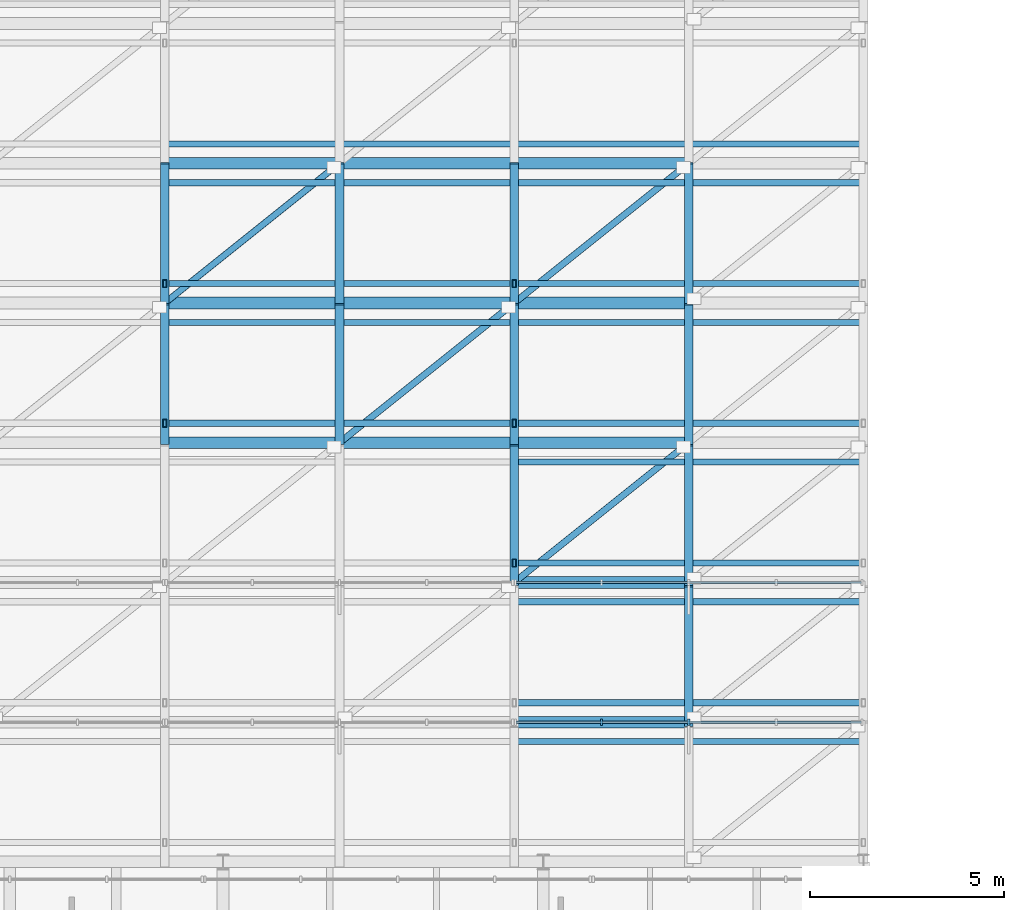
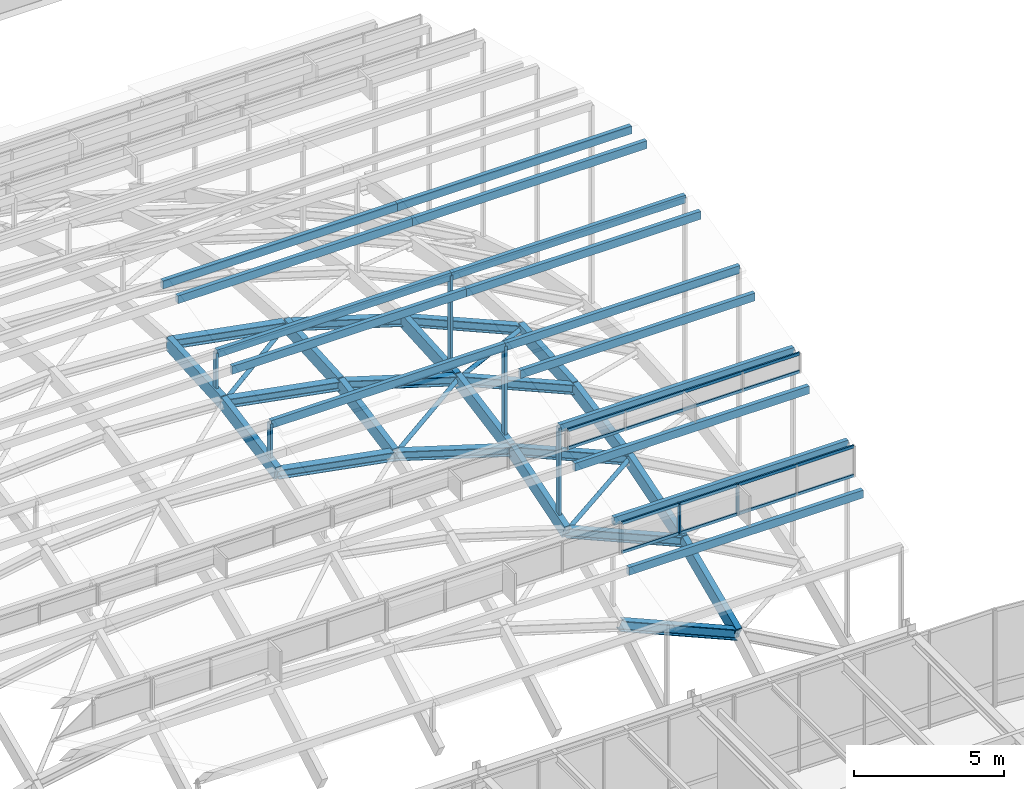
# One storey, part 22 of 69: 30 members, 22 beams, 2 elements without a shape of their own.
"""IFC4 building model written with IfcOpenShell, lengths in metres."""

from ifc_helpers import new_model, si_unit, direction, frame, origin, origin_2d, place, context, subcontext, project, spatial, rectangle, hollow_rectangle, hollow_circle, i_section, extrude, material, layer, layer_set, material_profile, profile_set, type_object, element, aggregate, save


model = new_model("IFC4")

# Units and contexts
model_context = context("Model", 3, precision=1e-05, world=origin(), true_north=direction((0.0, 1.0)))
body_context = subcontext(model_context, "Body", "Model", "MODEL_VIEW")
ifc_project = project(units=[si_unit("LENGTHUNIT", "METRE"), si_unit("AREAUNIT", "SQUARE_METRE"), si_unit("VOLUMEUNIT", "CUBIC_METRE"), si_unit("PLANEANGLEUNIT", "RADIAN"), si_unit("MASSUNIT", "GRAM", prefix="KILO")], contexts=[model_context])

# Site, building, storey
site_placement = place(None, origin())
site = spatial("IfcSite", under=ifc_project, at=site_placement, CompositionType="ELEMENT")
building_placement = place(site_placement, origin())
building = spatial("IfcBuilding", under=site, at=building_placement, Name="Montealbar Specialist Clinic", CompositionType="ELEMENT")
storey_placement = place(building_placement, frame((0.0, 0.0, 9.60009765625)))
storey = spatial("IfcBuildingStorey", under=building, at=storey_placement, Name="L02", CompositionType="ELEMENT", Elevation=9.60009765625)

# Beams
ifc_material_1 = material(Name="Steel S355", Category="steel")
ifc_material_profile_1 = material_profile(ifc_material_1, i_section(OverallWidth=0.300048828125, OverallDepth=0.360107421875, WebThickness=0.012451171875, FlangeThickness=0.0224609375, FilletRadius=0.027099609375, at=origin_2d()), Name="HEB 360", Category="steel")
ifc_profile_set_1 = profile_set([ifc_material_profile_1], Name="Steel S355")
beam_type_1 = type_object("IfcBeamType", Name="BM-GIRD-HEB360-EXT", PredefinedType="BEAM", material=ifc_profile_set_1)
beam_1_placement = place(storey_placement, frame((90.0, 52.199951171875, 6.643798828125), z_axis=(0.918302852681, 0.0, -0.395878606087), x_axis=(0.0, 1.0, 0.0)))
element("IfcBeam", 1, at=beam_1_placement, inside=storey, type_object=beam_type_1, Name="Gridshell Roof Truss Arch Rib X 2-8", PredefinedType="BEAM", context=body_context, shape_type="SweptSolid", body=[
    extrude(i_section(OverallWidth=0.300048828125, OverallDepth=0.360107421875, WebThickness=0.012451171875, FlangeThickness=0.0224609375, FilletRadius=0.027099609375, at=origin_2d()), origin(), (0.0, 0.0, 1.0), 4.900390625),
])
beam_2_placement = place(storey_placement, frame((81.0, 55.800048828125, 9.995849609375), z_axis=(0.983332910059, 0.0, -0.181814157849), x_axis=(0.0, 1.0, 0.0)))
element("IfcBeam", 2, at=beam_2_placement, inside=storey, type_object=beam_type_1, Name="Gridshell Roof Truss Arch Rib X 3-6", PredefinedType="BEAM", context=body_context, shape_type="SweptSolid", body=[
    extrude(i_section(OverallWidth=0.300048828125, OverallDepth=0.360107421875, WebThickness=0.012451171875, FlangeThickness=0.0224609375, FilletRadius=0.027099609375, at=origin_2d()), origin(), (0.0, 0.0, 1.0), 4.576171875),
])
beam_3_placement = place(storey_placement, frame((85.5, 55.800048828125, 9.163818359375), z_axis=(0.955697132972, 0.0, -0.294351813362), x_axis=(0.0, 1.0, 0.0)))
element("IfcBeam", 3, at=beam_3_placement, inside=storey, type_object=beam_type_1, Name="Gridshell Roof Truss Arch Rib X 3-7", PredefinedType="BEAM", context=body_context, shape_type="SweptSolid", body=[
    extrude(i_section(OverallWidth=0.300048828125, OverallDepth=0.360107421875, WebThickness=0.012451171875, FlangeThickness=0.0224609375, FilletRadius=0.027099609375, at=origin_2d()), origin(), (0.0, 0.0, 1.0), 4.70849609375),
])
beam_4_placement = place(storey_placement, frame((90.0, 55.800048828125, 7.77783203125), z_axis=(0.918302852681, 0.0, -0.395878606087), x_axis=(0.0, 1.0, 0.0)))
element("IfcBeam", 4, at=beam_4_placement, inside=storey, type_object=beam_type_1, Name="Gridshell Roof Truss Arch Rib X 3-8", PredefinedType="BEAM", context=body_context, shape_type="SweptSolid", body=[
    extrude(i_section(OverallWidth=0.300048828125, OverallDepth=0.360107421875, WebThickness=0.012451171875, FlangeThickness=0.0224609375, FilletRadius=0.027099609375, at=origin_2d()), origin(), (0.0, 0.0, 1.0), 4.900390625),
])
beam_5_placement = place(storey_placement, frame((81.0, 59.39990234375, 10.67578125), z_axis=(0.983342446778, 0.0, -0.181762571407), x_axis=(0.0, 1.0, 0.0)))
element("IfcBeam", 5, at=beam_5_placement, inside=storey, type_object=beam_type_1, Name="Gridshell Roof Truss Arch Rib X 4-6", PredefinedType="BEAM", context=body_context, shape_type="SweptSolid", body=[
    extrude(i_section(OverallWidth=0.300048828125, OverallDepth=0.360107421875, WebThickness=0.012451171875, FlangeThickness=0.0224609375, FilletRadius=0.027099609375, at=origin_2d()), origin(), (0.0, 0.0, 1.0), 4.576171875),
])
beam_6_placement = place(storey_placement, frame((85.5, 59.39990234375, 9.843994140625), z_axis=(0.955697132972, 0.0, -0.294351813362), x_axis=(0.0, 1.0, 0.0)))
element("IfcBeam", 6, at=beam_6_placement, inside=storey, type_object=beam_type_1, Name="Gridshell Roof Truss Arch Rib X 4-7", PredefinedType="BEAM", context=body_context, shape_type="SweptSolid", body=[
    extrude(i_section(OverallWidth=0.300048828125, OverallDepth=0.360107421875, WebThickness=0.012451171875, FlangeThickness=0.0224609375, FilletRadius=0.027099609375, at=origin_2d()), origin(), (0.0, 0.0, 1.0), 4.70849609375),
])
beam_7_placement = place(storey_placement, frame((90.0, 59.39990234375, 8.4580078125), z_axis=(0.918284740285, 0.0, -0.395920618004), x_axis=(0.0, 1.0, 0.0)))
element("IfcBeam", 7, at=beam_7_placement, inside=storey, type_object=beam_type_1, Name="Gridshell Roof Truss Arch Rib X 4-8", PredefinedType="BEAM", context=body_context, shape_type="SweptSolid", body=[
    extrude(i_section(OverallWidth=0.300048828125, OverallDepth=0.360107421875, WebThickness=0.012451171875, FlangeThickness=0.0224609375, FilletRadius=0.027099609375, at=origin_2d()), origin(), (0.0, 0.0, 1.0), 4.900390625),
])
beam_8_placement = place(storey_placement, frame((81.0, 63.0, 10.90283203125), z_axis=(0.983332910059, 0.0, -0.181814157849), x_axis=(0.0, 1.0, 0.0)))
element("IfcBeam", 8, at=beam_8_placement, inside=storey, type_object=beam_type_1, Name="Gridshell Roof Truss Arch Rib X 5-6", PredefinedType="BEAM", context=body_context, shape_type="SweptSolid", body=[
    extrude(i_section(OverallWidth=0.300048828125, OverallDepth=0.360107421875, WebThickness=0.012451171875, FlangeThickness=0.0224609375, FilletRadius=0.027099609375, at=origin_2d()), origin(), (0.0, 0.0, 1.0), 4.576171875),
])
beam_9_placement = place(storey_placement, frame((85.5, 63.0, 10.07080078125), z_axis=(0.955697132972, 0.0, -0.294351813362), x_axis=(0.0, 1.0, 0.0)))
element("IfcBeam", 9, at=beam_9_placement, inside=storey, type_object=beam_type_1, Name="Gridshell Roof Truss Arch Rib X 5-7", PredefinedType="BEAM", context=body_context, shape_type="SweptSolid", body=[
    extrude(i_section(OverallWidth=0.300048828125, OverallDepth=0.360107421875, WebThickness=0.012451171875, FlangeThickness=0.0224609375, FilletRadius=0.027099609375, at=origin_2d()), origin(), (0.0, 0.0, 1.0), 4.70849609375),
])
beam_10_placement = place(storey_placement, frame((90.0, 63.0, 8.684814453125), z_axis=(0.918302852681, 0.0, -0.395878606087), x_axis=(0.0, 1.0, 0.0)))
element("IfcBeam", 10, at=beam_10_placement, inside=storey, type_object=beam_type_1, Name="Gridshell Roof Truss Arch Rib X 5-8", PredefinedType="BEAM", context=body_context, shape_type="SweptSolid", body=[
    extrude(i_section(OverallWidth=0.300048828125, OverallDepth=0.360107421875, WebThickness=0.012451171875, FlangeThickness=0.0224609375, FilletRadius=0.027099609375, at=origin_2d()), origin(), (0.0, 0.0, 1.0), 4.900390625),
])
ifc_material_profile_2 = material_profile(ifc_material_1, i_section(OverallWidth=0.300048828125, OverallDepth=0.39990234375, WebThickness=0.013427734375, FlangeThickness=0.02392578125, FilletRadius=0.027099609375, at=origin_2d()), Name="HEB 400", Category="steel")
ifc_profile_set_2 = profile_set([ifc_material_profile_2], Name="Steel S355")
beam_type_2 = type_object("IfcBeamType", Name="BM-GIRD-HEB400-EXT", PredefinedType="BEAM", material=ifc_profile_set_2)
beam_11_placement = place(storey_placement, frame((90.0, 48.60009765625, 5.055908203125), z_axis=(0.918302852681, 0.0, -0.395878606087), x_axis=(0.0, 1.0, 0.0)))
element("IfcBeam", 11, at=beam_11_placement, inside=storey, type_object=beam_type_2, Name="Gridshell Roof Truss Arch Rib X 1-8", PredefinedType="BEAM", context=body_context, shape_type="SweptSolid", body=[
    extrude(i_section(OverallWidth=0.300048828125, OverallDepth=0.39990234375, WebThickness=0.013427734375, FlangeThickness=0.02392578125, FilletRadius=0.027099609375, at=origin_2d()), origin(), (0.0, 0.0, 1.0), 4.900390625),
])
ifc_material_2 = material(Name="Glulam GL28h", Category="wood")
ifc_material_profile_3 = material_profile(ifc_material_2, rectangle(XDim=0.219970703125, YDim=0.56005859375, at=origin_2d()), Name="GL28h 220x560", Category="wood")
ifc_profile_set_3 = profile_set([ifc_material_profile_3], Name="Glulam GL28h")
beam_type_3 = type_object("IfcBeamType", Name="BM-GL-220x560-EXT", PredefinedType="BEAM", material=ifc_profile_set_3)
beam_12_placement = place(storey_placement, frame((81.0, 55.800048828125, 9.995849609375), z_axis=(0.0, 0.982626127294, 0.185596050493), x_axis=(-1.0, 0.0, 0.0)))
element("IfcBeam", 12, at=beam_12_placement, inside=storey, type_object=beam_type_3, Name="Gridshell Glulam Roof Truss Rib Y 6-3", PredefinedType="BEAM", context=body_context, shape_type="SweptSolid", body=[
    extrude(rectangle(XDim=0.219970703125, YDim=0.56005859375, at=origin_2d()), origin(), (0.0, 0.0, 1.0), 3.66357421875),
])
beam_13_placement = place(storey_placement, frame((81.0, 59.39990234375, 10.67578125), z_axis=(0.0, 0.998017130092, 0.062942895089), x_axis=(-1.0, 0.0, 0.0)))
element("IfcBeam", 13, at=beam_13_placement, inside=storey, type_object=beam_type_3, Name="Gridshell Glulam Roof Truss Rib Y 6-4", PredefinedType="BEAM", context=body_context, shape_type="SweptSolid", body=[
    extrude(rectangle(XDim=0.219970703125, YDim=0.56005859375, at=origin_2d()), origin(), (0.0, 0.0, 1.0), 3.607177734375),
])
beam_14_placement = place(storey_placement, frame((85.5, 55.800048828125, 9.163818359375), z_axis=(0.0, 0.98261397186, 0.18566039509), x_axis=(-1.0, 0.0, 0.0)))
element("IfcBeam", 14, at=beam_14_placement, inside=storey, type_object=beam_type_3, Name="Gridshell Glulam Roof Truss Rib Y 7-3", PredefinedType="BEAM", context=body_context, shape_type="SweptSolid", body=[
    extrude(rectangle(XDim=0.219970703125, YDim=0.56005859375, at=origin_2d()), origin(), (0.0, 0.0, 1.0), 3.66357421875),
])
beam_15_placement = place(storey_placement, frame((85.5, 59.39990234375, 9.843994140625), z_axis=(0.0, 0.998021379395, 0.062875482264), x_axis=(-1.0, 0.0, 0.0)))
element("IfcBeam", 15, at=beam_15_placement, inside=storey, type_object=beam_type_3, Name="Gridshell Glulam Roof Truss Rib Y 7-4", PredefinedType="BEAM", context=body_context, shape_type="SweptSolid", body=[
    extrude(rectangle(XDim=0.219970703125, YDim=0.56005859375, at=origin_2d()), origin(), (0.0, 0.0, 1.0), 3.607177734375),
])
beam_16_placement = place(storey_placement, frame((90.0, 52.199951171875, 6.643798828125), z_axis=(0.0, 0.953798460342, 0.300447161826), x_axis=(-1.0, 0.0, 0.0)))
element("IfcBeam", 16, at=beam_16_placement, inside=storey, type_object=beam_type_3, Name="Gridshell Glulam Roof Truss Rib Y 8-2", PredefinedType="BEAM", context=body_context, shape_type="SweptSolid", body=[
    extrude(rectangle(XDim=0.219970703125, YDim=0.56005859375, at=origin_2d()), origin(), (0.0, 0.0, 1.0), 3.7744140625),
])
beam_17_placement = place(storey_placement, frame((90.0, 55.800048828125, 7.77783203125), z_axis=(0.0, 0.98261397186, 0.18566039509), x_axis=(-1.0, 0.0, 0.0)))
element("IfcBeam", 17, at=beam_17_placement, inside=storey, type_object=beam_type_3, Name="Gridshell Glulam Roof Truss Rib Y 8-3", PredefinedType="BEAM", context=body_context, shape_type="SweptSolid", body=[
    extrude(rectangle(XDim=0.219970703125, YDim=0.56005859375, at=origin_2d()), origin(), (0.0, 0.0, 1.0), 3.66357421875),
])
beam_18_placement = place(storey_placement, frame((90.0, 59.39990234375, 8.4580078125), z_axis=(0.0, 0.998021379395, 0.062875482264), x_axis=(-1.0, 0.0, 0.0)))
element("IfcBeam", 18, at=beam_18_placement, inside=storey, type_object=beam_type_3, Name="Gridshell Glulam Roof Truss Rib Y 8-4", PredefinedType="BEAM", context=body_context, shape_type="SweptSolid", body=[
    extrude(rectangle(XDim=0.219970703125, YDim=0.56005859375, at=origin_2d()), origin(), (0.0, 0.0, 1.0), 3.607177734375),
])
beam_19_placement = place(storey_placement, frame((94.5, 48.60009765625, 3.115966796875), z_axis=(0.0, 0.914944084874, 0.403580625841), x_axis=(-1.0, 0.0, 0.0)))
element("IfcBeam", 19, at=beam_19_placement, inside=storey, type_object=beam_type_3, Name="Gridshell Glulam Roof Truss Rib Y 9-1", PredefinedType="BEAM", context=body_context, shape_type="SweptSolid", body=[
    extrude(rectangle(XDim=0.219970703125, YDim=0.56005859375, at=origin_2d()), origin(), (0.0, 0.0, 1.0), 3.9345703125),
])
beam_20_placement = place(storey_placement, frame((94.5, 52.199951171875, 4.703857421875), z_axis=(0.0, 0.953798460342, 0.300447161826), x_axis=(-1.0, 0.0, 0.0)))
element("IfcBeam", 20, at=beam_20_placement, inside=storey, type_object=beam_type_3, Name="Gridshell Glulam Roof Truss Rib Y 9-2", PredefinedType="BEAM", context=body_context, shape_type="SweptSolid", body=[
    extrude(rectangle(XDim=0.219970703125, YDim=0.56005859375, at=origin_2d()), origin(), (0.0, 0.0, 1.0), 3.7744140625),
])
beam_21_placement = place(storey_placement, frame((94.5, 55.800048828125, 5.837890625), z_axis=(0.0, 0.982626127294, 0.185596050493), x_axis=(-1.0, 0.0, 0.0)))
element("IfcBeam", 21, at=beam_21_placement, inside=storey, type_object=beam_type_3, Name="Gridshell Glulam Roof Truss Rib Y 9-3", PredefinedType="BEAM", context=body_context, shape_type="SweptSolid", body=[
    extrude(rectangle(XDim=0.219970703125, YDim=0.56005859375, at=origin_2d()), origin(), (0.0, 0.0, 1.0), 3.66357421875),
])
beam_22_placement = place(storey_placement, frame((94.5, 59.39990234375, 6.517822265625), z_axis=(0.0, 0.998017130092, 0.062942895089), x_axis=(-1.0, 0.0, 0.0)))
element("IfcBeam", 22, at=beam_22_placement, inside=storey, type_object=beam_type_3, Name="Gridshell Glulam Roof Truss Rib Y 9-4", PredefinedType="BEAM", context=body_context, shape_type="SweptSolid", body=[
    extrude(rectangle(XDim=0.219970703125, YDim=0.56005859375, at=origin_2d()), origin(), (0.0, 0.0, 1.0), 3.607177734375),
])

# Curtain wall, members
ifc_material_3 = material(Name="Low-E double glazing", Category="glass")
ifc_layer_1 = layer(ifc_material_3, 0.199951171875, Name="Low-E double glazing", Category="glass")
ifc_layer_set_1 = layer_set([ifc_layer_1], Name="Low-E double glazing")
curtain_wall_type_1 = type_object("IfcCurtainWallType", Name="CW-TYPE-47", PredefinedType="NOTDEFINED", material=ifc_layer_set_1)
curtain_wall_1_placement = place(storey_placement, origin())
curtain_wall_1 = element("IfcCurtainWall", 23, at=curtain_wall_1_placement, inside=storey, type_object=curtain_wall_type_1, Name="Unitised Curtain Wall CW-L02-900-486-990-486-175", PredefinedType="NOTDEFINED")
ifc_material_4 = material(Name="Anodised aluminium EN AW-6063", Category="aluminium")
ifc_material_profile_4 = material_profile(ifc_material_4, rectangle(XDim=0.06005859375, YDim=0.159912109375, at=origin_2d()), Name="ALU 60x160", Category="aluminium")
ifc_profile_set_4 = profile_set([ifc_material_profile_4], Name="Anodised aluminium EN AW-6063")
member_type_1 = type_object("IfcMemberType", Name="CW-MUL-160", PredefinedType="MULLION", material=ifc_profile_set_4)
member_1_placement = place(storey_placement, frame((92.25, 48.60009765625, 7.933837890625), z_axis=(0.0, 0.0, 1.0), x_axis=(1.0, 0.0, 0.0)))
member_1 = element("IfcMember", 24, at=member_1_placement, type_object=member_type_1, Name="Curtain Wall Mullion CW-L02-900-486-990-486-175-01", PredefinedType="MULLION", context=body_context, shape_type="SweptSolid", body=[
    extrude(rectangle(XDim=0.06005859375, YDim=0.159912109375, at=origin_2d()), origin(), (0.0, 0.0, 1.0), 1.257080078125),
])
member_2_placement = place(storey_placement, frame((94.5, 48.60009765625, 7.933837890625), z_axis=(0.0, 0.0, 1.0), x_axis=(1.0, 0.0, 0.0)))
member_2 = element("IfcMember", 25, at=member_2_placement, type_object=member_type_1, Name="Curtain Wall Mullion CW-L02-900-486-990-486-175-02", PredefinedType="MULLION", context=body_context, shape_type="SweptSolid", body=[
    extrude(rectangle(XDim=0.06005859375, YDim=0.159912109375, at=origin_2d()), origin(), (0.0, 0.0, 1.0), 1.257080078125),
])
ifc_material_5 = material(Name="Powder-coated aluminium", Category="aluminium")
ifc_material_profile_5 = material_profile(ifc_material_5, rectangle(XDim=0.06005859375, YDim=0.1201171875, at=origin_2d()), Name="ALU 60x120", Category="aluminium")
ifc_profile_set_5 = profile_set([ifc_material_profile_5], Name="Powder-coated aluminium")
member_type_2 = type_object("IfcMemberType", Name="CW-TRN-120", PredefinedType="USERDEFINED", material=ifc_profile_set_5)
member_3_placement = place(storey_placement, frame((90.050048828125, 48.60009765625, 7.973876953125), z_axis=(1.0, 0.0, 0.0), x_axis=(0.0, 1.0, 0.0)))
member_3 = element("IfcMember", 26, at=member_3_placement, type_object=member_type_2, Name="Curtain Wall Transom CW-L02-900-486-990-486-175-00", ObjectType="TRANSOM", PredefinedType="USERDEFINED", context=body_context, shape_type="SweptSolid", body=[
    extrude(rectangle(XDim=0.06005859375, YDim=0.1201171875, at=origin_2d()), origin(), (0.0, 0.0, 1.0), 8.89990234375),
])
member_4_placement = place(storey_placement, frame((90.050048828125, 48.60009765625, 9.15087890625), z_axis=(1.0, 0.0, 0.0), x_axis=(0.0, 1.0, 0.0)))
member_4 = element("IfcMember", 27, at=member_4_placement, type_object=member_type_2, Name="Curtain Wall Transom CW-L02-900-486-990-486-175-01", ObjectType="TRANSOM", PredefinedType="USERDEFINED", context=body_context, shape_type="SweptSolid", body=[
    extrude(rectangle(XDim=0.06005859375, YDim=0.1201171875, at=origin_2d()), origin(), (0.0, 0.0, 1.0), 8.89990234375),
])
aggregate(curtain_wall_1, [member_1, member_2, member_3, member_4])

ifc_layer_2 = layer(ifc_material_3, 0.199951171875, Name="Low-E double glazing", Category="glass")
ifc_layer_set_2 = layer_set([ifc_layer_2], Name="Low-E double glazing")
curtain_wall_type_2 = type_object("IfcCurtainWallType", Name="CW-TYPE-48", PredefinedType="NOTDEFINED", material=ifc_layer_set_2)
curtain_wall_2_placement = place(storey_placement, origin())
curtain_wall_2 = element("IfcCurtainWall", 28, at=curtain_wall_2_placement, inside=storey, type_object=curtain_wall_type_2, Name="Unitised Curtain Wall CW-L02-900-522-990-522-196", PredefinedType="NOTDEFINED")
member_5_placement = place(storey_placement, frame((90.050048828125, 52.199951171875, 10.014892578125), z_axis=(1.0, 0.0, 0.0), x_axis=(0.0, 1.0, 0.0)))
member_5 = element("IfcMember", 29, at=member_5_placement, type_object=member_type_2, Name="Curtain Wall Transom CW-L02-900-522-990-522-196-00", ObjectType="TRANSOM", PredefinedType="USERDEFINED", context=body_context, shape_type="SweptSolid", body=[
    extrude(rectangle(XDim=0.06005859375, YDim=0.1201171875, at=origin_2d()), origin(), (0.0, 0.0, 1.0), 8.89990234375),
])
member_6_placement = place(storey_placement, frame((90.050048828125, 52.199951171875, 10.739013671875), z_axis=(1.0, 0.0, 0.0), x_axis=(0.0, 1.0, 0.0)))
member_6 = element("IfcMember", 30, at=member_6_placement, type_object=member_type_2, Name="Curtain Wall Transom CW-L02-900-522-990-522-196-01", ObjectType="TRANSOM", PredefinedType="USERDEFINED", context=body_context, shape_type="SweptSolid", body=[
    extrude(rectangle(XDim=0.06005859375, YDim=0.1201171875, at=origin_2d()), origin(), (0.0, 0.0, 1.0), 8.89990234375),
])
aggregate(curtain_wall_2, [member_5, member_6])

# Members
ifc_material_profile_6 = material_profile(ifc_material_1, hollow_circle(Radius=0.084228515625, WallThickness=0.008056640625, at=origin_2d()), Name="CHS 168.3x8.0", Category="steel")
ifc_profile_set_6 = profile_set([ifc_material_profile_6], Name="Steel S355")
member_type_3 = type_object("IfcMemberType", Name="MB-GS-DIAG-EXT", PredefinedType="BRACE", material=ifc_profile_set_6)
member_7_placement = place(storey_placement, frame((81.0, 59.39990234375, 10.67578125), z_axis=(0.776593014048, 0.621291264385, -0.104405245704), x_axis=(-0.624705380279, 0.780860543151, 0.0)))
element("IfcMember", 31, at=member_7_placement, inside=storey, type_object=member_type_3, Name="Gridshell Roof Brace 6-4", PredefinedType="BRACE", context=body_context, shape_type="SweptSolid", body=[
    extrude(hollow_circle(Radius=0.084228515625, WallThickness=0.008056640625, at=origin_2d()), origin(), (0.0, 0.0, 1.0), 5.79443359375),
])
member_8_placement = place(storey_placement, frame((85.5, 55.800048828125, 9.163818359375), z_axis=(0.775089278903, 0.620046192352, -0.12157026396), x_axis=(-0.624679547852, 0.780881208953, 0.0)))
element("IfcMember", 32, at=member_8_placement, inside=storey, type_object=member_type_3, Name="Gridshell Roof Brace 7-3", PredefinedType="BRACE", context=body_context, shape_type="SweptSolid", body=[
    extrude(hollow_circle(Radius=0.084228515625, WallThickness=0.008056640625, at=origin_2d()), origin(), (0.0, 0.0, 1.0), 5.8056640625),
])
member_9_placement = place(storey_placement, frame((90.0, 52.199951171875, 6.643798828125), z_axis=(0.773335257797, 0.618684988687, -0.138497161783), x_axis=(-0.624705380279, 0.780860543151, 0.0)))
element("IfcMember", 33, at=member_9_placement, inside=storey, type_object=member_type_3, Name="Gridshell Roof Brace 8-2", PredefinedType="BRACE", context=body_context, shape_type="SweptSolid", body=[
    extrude(hollow_circle(Radius=0.084228515625, WallThickness=0.008056640625, at=origin_2d()), origin(), (0.0, 0.0, 1.0), 5.81884765625),
])
member_10_placement = place(storey_placement, frame((90.0, 59.39990234375, 8.4580078125), z_axis=(0.748488603241, 0.598807125835, -0.284947077308), x_axis=(-0.624705380279, 0.780860543151, 0.0)))
element("IfcMember", 34, at=member_10_placement, inside=storey, type_object=member_type_3, Name="Gridshell Roof Brace 8-4", PredefinedType="BRACE", context=body_context, shape_type="SweptSolid", body=[
    extrude(hollow_circle(Radius=0.084228515625, WallThickness=0.008056640625, at=origin_2d()), origin(), (0.0, 0.0, 1.0), 6.01220703125),
])
ifc_material_profile_7 = material_profile(ifc_material_2, rectangle(XDim=0.159912109375, YDim=0.320068359375, at=origin_2d()), Name="GL28h 160x320", Category="wood")
ifc_profile_set_7 = profile_set([ifc_material_profile_7], Name="Glulam GL28h")
member_type_4 = type_object("IfcMemberType", Name="MB-GS-PURLIN-GL-EXT", PredefinedType="PURLIN", material=ifc_profile_set_7)
for number, where, z_axis, x_axis, name in (
    (35, (90.0, 48.10009765625, 7.548828125), (1.0, 0.0, 0.0), (0.0, 1.0, 0.0), "Gridshell Glulam Purlin 1-5-2"),
    (36, (90.0, 49.10009765625, 8.9658203125), (1.0, 0.0, 0.0), (0.0, 1.0, 0.0), "Gridshell Glulam Purlin 2-5-1"),
    (37, (90.0, 51.699951171875, 9.58984375), (1.0, 0.0, 0.0), (0.0, 1.0, 0.0), "Gridshell Glulam Purlin 2-5-2"),
    (38, (90.0, 52.699951171875, 10.553955078125), (1.0, 0.0, 0.0), (0.0, 1.0, 0.0), "Gridshell Glulam Purlin 3-5-1"),
    (39, (90.0, 55.300048828125, 11.177978515625), (1.0, 0.0, 0.0), (0.0, 1.0, 0.0), "Gridshell Glulam Purlin 3-5-2"),
    (40, (81.0, 56.300048828125, 11.68798828125), (1.0, 0.0, 0.0), (0.0, 1.0, 0.0), "Gridshell Glulam Purlin 4-4-1"),
    (41, (81.0, 58.89990234375, 12.31201171875), (1.0, 0.0, 0.0), (0.0, 1.0, 0.0), "Gridshell Glulam Purlin 4-4-2"),
    (42, (90.0, 56.300048828125, 11.68798828125), (1.0, 0.0, 0.0), (0.0, 1.0, 0.0), "Gridshell Glulam Purlin 4-5-1"),
    (43, (90.0, 58.89990234375, 12.31201171875), (1.0, 0.0, 0.0), (0.0, 1.0, 0.0), "Gridshell Glulam Purlin 4-5-2"),
    (44, (81.0, 59.89990234375, 12.367919921875), (1.0, 0.0, 0.0), (0.0, 1.0, 0.0), "Gridshell Glulam Purlin 5-4-1"),
    (45, (81.0, 62.5, 12.991943359375), (1.0, 0.0, 0.0), (0.0, 1.0, 0.0), "Gridshell Glulam Purlin 5-4-2"),
    (46, (90.0, 59.89990234375, 12.367919921875), (1.0, 0.0, 0.0), (0.0, 1.0, 0.0), "Gridshell Glulam Purlin 5-5-1"),
    (47, (90.0, 62.5, 12.991943359375), (1.0, 0.0, 0.0), (0.0, 1.0, 0.0), "Gridshell Glulam Purlin 5-5-2"),
    (48, (81.0, 63.5, 12.991943359375), (1.0, 0.0, 0.0), (0.0, 1.0, 0.0), "Gridshell Glulam Purlin 6-4-1"),
    (49, (90.0, 63.5, 12.991943359375), (1.0, 0.0, 0.0), (0.0, 1.0, 0.0), "Gridshell Glulam Purlin 6-5-1"),
):
    element("IfcMember", number, at=place(storey_placement, frame(where, z_axis=z_axis, x_axis=x_axis)), inside=storey, type_object=member_type_4, Name=name, PredefinedType="PURLIN", context=body_context, shape_type="SweptSolid", body=[
        extrude(rectangle(XDim=0.159912109375, YDim=0.320068359375, at=origin_2d()), origin(), (0.0, 0.0, 1.0), 9.0),
    ])
ifc_material_profile_8 = material_profile(ifc_material_1, hollow_rectangle(XDim=0.10009765625, YDim=0.199951171875, WallThickness=0.008056640625, at=origin_2d()), Name="RHS 200x100x8", Category="steel")
ifc_profile_set_8 = profile_set([ifc_material_profile_8], Name="Steel S355")
member_type_5 = type_object("IfcMemberType", Name="MB-GS-PURLIN-ST-EXT", PredefinedType="PURLIN", material=ifc_profile_set_8)
member_11_placement = place(storey_placement, frame((90.0, 52.699951171875, 6.643798828125), z_axis=(0.0, 0.0, 1.0), x_axis=(1.0, 0.0, 0.0)))
element("IfcMember", 50, at=member_11_placement, inside=storey, type_object=member_type_5, Name="Gridshell Monitor Post 3-8", PredefinedType="PURLIN", context=body_context, shape_type="SweptSolid", body=[
    extrude(hollow_rectangle(XDim=0.10009765625, YDim=0.199951171875, WallThickness=0.008056640625, at=origin_2d()), origin(), (0.0, 0.0, 1.0), 3.9521484375),
])
member_12_placement = place(storey_placement, frame((81.0, 56.300048828125, 9.995849609375), z_axis=(0.0, 0.0, 1.0), x_axis=(1.0, 0.0, 0.0)))
element("IfcMember", 51, at=member_12_placement, inside=storey, type_object=member_type_5, Name="Gridshell Monitor Post 4-6", PredefinedType="PURLIN", context=body_context, shape_type="SweptSolid", body=[
    extrude(hollow_rectangle(XDim=0.10009765625, YDim=0.199951171875, WallThickness=0.008056640625, at=origin_2d()), origin(), (0.0, 0.0, 1.0), 1.734130859375),
])
member_13_placement = place(storey_placement, frame((90.0, 56.300048828125, 7.77783203125), z_axis=(0.0, 0.0, 1.0), x_axis=(1.0, 0.0, 0.0)))
element("IfcMember", 52, at=member_13_placement, inside=storey, type_object=member_type_5, Name="Gridshell Monitor Post 4-8", PredefinedType="PURLIN", context=body_context, shape_type="SweptSolid", body=[
    extrude(hollow_rectangle(XDim=0.10009765625, YDim=0.199951171875, WallThickness=0.008056640625, at=origin_2d()), origin(), (0.0, 0.0, 1.0), 3.9521484375),
])
member_14_placement = place(storey_placement, frame((81.0, 59.89990234375, 10.67578125), z_axis=(0.0, 0.0, 1.0), x_axis=(1.0, 0.0, 0.0)))
element("IfcMember", 53, at=member_14_placement, inside=storey, type_object=member_type_5, Name="Gridshell Monitor Post 5-6", PredefinedType="PURLIN", context=body_context, shape_type="SweptSolid", body=[
    extrude(hollow_rectangle(XDim=0.10009765625, YDim=0.199951171875, WallThickness=0.008056640625, at=origin_2d()), origin(), (0.0, 0.0, 1.0), 1.734130859375),
])
member_15_placement = place(storey_placement, frame((90.0, 59.89990234375, 8.4580078125), z_axis=(0.0, 0.0, 1.0), x_axis=(1.0, 0.0, 0.0)))
element("IfcMember", 54, at=member_15_placement, inside=storey, type_object=member_type_5, Name="Gridshell Monitor Post 5-8", PredefinedType="PURLIN", context=body_context, shape_type="SweptSolid", body=[
    extrude(hollow_rectangle(XDim=0.10009765625, YDim=0.199951171875, WallThickness=0.008056640625, at=origin_2d()), origin(), (0.0, 0.0, 1.0), 3.951904296875),
])

save(model, "model.ifc")
